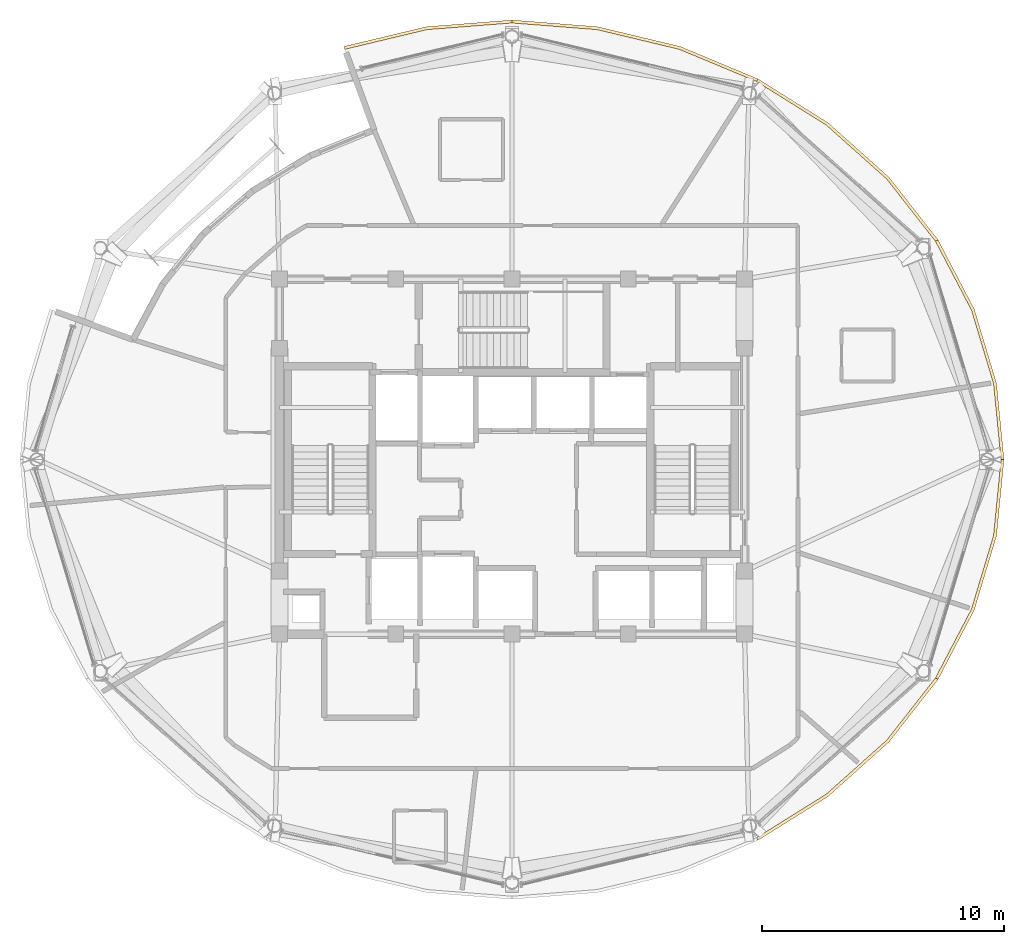
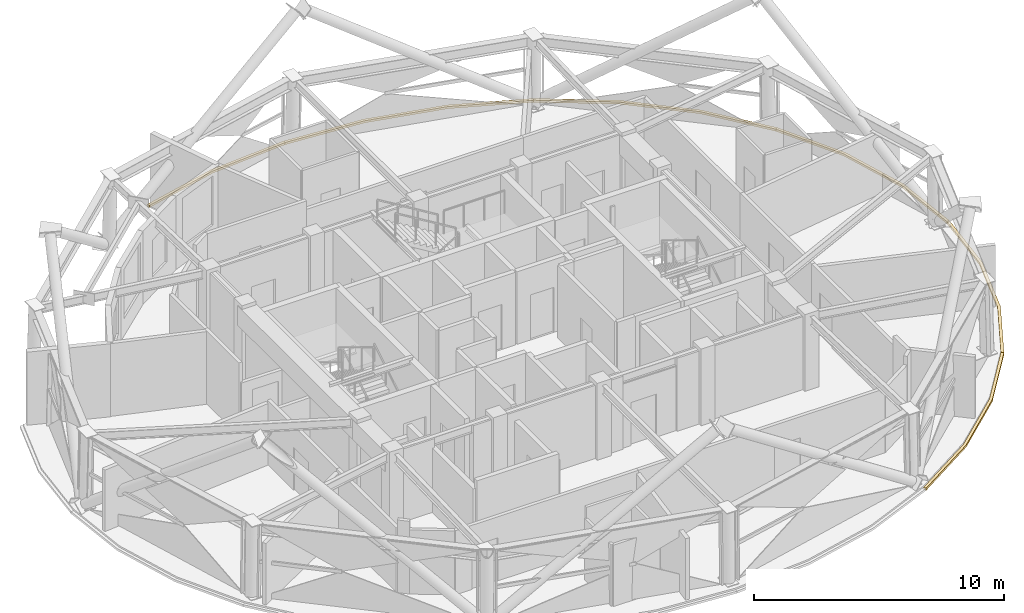
# One storey, part 15 of 15: 6 coverings.
"""IFC4 building model written with IfcOpenShell, lengths in metres."""

import ifcopenshell
import ifcopenshell.guid

model = None  # the IFC model being written
_history = None  # IfcOwnerHistory: only IFC2X3 demands one
_inside = {}  # id of a spatial element -> (the spatial element, [elements in it])
_under = {}  # id of a project, library or spatial element -> (it, [spatial elements below it])
_declared = {}  # id of a project -> (the project, [libraries it declares])
_typed = {}  # id of a type object -> (the type object, [elements of that type])
_made_of = {}  # id of a material, layer set ... -> (it, [elements and type objects made of it])


def new_model(schema):
    """Start an empty IFC model of exactly this schema.

    Asked for "IFC4X3", IfcOpenShell would pick the latest addendum, in which some entities
    have other attributes; the version numbers below select the first issue.
    IFC2X3 requires an IfcOwnerHistory on every rooted entity: one is made here for all.
    """
    global model, _history
    if schema == "IFC4X3":
        model = ifcopenshell.file(schema_version=(4, 3, 0, 0))
    else:
        model = ifcopenshell.file(schema=schema)
    _inside.clear()
    _under.clear()
    _declared.clear()
    _typed.clear()
    _made_of.clear()
    _history = None
    if model.schema == "IFC2X3":
        org = make("IfcOrganization", Name="unknown")
        user = make(
            "IfcPersonAndOrganization",
            ThePerson=make("IfcPerson", FamilyName="unknown"),
            TheOrganization=org,
        )
        app = make(
            "IfcApplication",
            ApplicationDeveloper=org,
            Version="unknown",
            ApplicationFullName="unknown",
            ApplicationIdentifier="unknown",
        )
        _history = make(
            "IfcOwnerHistory",
            OwningUser=user,
            OwningApplication=app,
            ChangeAction="ADDED",
            CreationDate=0,
        )
    return model


def make(cls, **values):
    """One entity of the class cls with the attributes given. An attribute that is None is left unset."""
    return model.create_entity(
        cls, **{name: value for name, value in values.items() if value is not None}
    )


def rooted(cls, **values):
    """An entity with a GlobalId (a new one), such as an element, a storey or a relation."""
    return make(cls, GlobalId=ifcopenshell.guid.new(), OwnerHistory=_history, **values)


def si_unit(unit_type, name, prefix=None):
    """IfcSIUnit, for example si_unit("LENGTHUNIT", "METRE", prefix="MILLI")."""
    return make("IfcSIUnit", UnitType=unit_type, Prefix=prefix, Name=name)


def assignment(units):
    """IfcUnitAssignment: the units of a project."""
    return None if units is None else make("IfcUnitAssignment", Units=units)


def point(xyz):
    """IfcCartesianPoint."""
    return None if xyz is None else make("IfcCartesianPoint", Coordinates=xyz)


def direction(xyz):
    """IfcDirection."""
    return None if xyz is None else make("IfcDirection", DirectionRatios=xyz)


def frame(location, z_axis=None, x_axis=None):
    """IfcAxis2Placement3D, a coordinate frame: its origin and axes. An axis left out is left unset."""
    return make(
        "IfcAxis2Placement3D",
        Location=point(location),
        Axis=direction(z_axis),
        RefDirection=direction(x_axis),
    )


def origin():
    """The frame at (0, 0, 0) with its axes left unset."""
    return frame((0.0, 0.0, 0.0))


def place(relative_to, where):
    """IfcLocalPlacement: puts the frame where relative to a parent placement (None: the world)."""
    return make(
        "IfcLocalPlacement", PlacementRelTo=relative_to, RelativePlacement=where
    )


def context(
    kind, dimensions, precision=None, world=None, true_north=None, identifier=None
):
    """IfcGeometricRepresentationContext, for example the 3D "Model" context."""
    return make(
        "IfcGeometricRepresentationContext",
        ContextIdentifier=identifier,
        ContextType=kind,
        CoordinateSpaceDimension=dimensions,
        Precision=precision,
        WorldCoordinateSystem=world,
        TrueNorth=true_north,
    )


def subcontext(parent, identifier, kind, view, scale=None):
    """IfcGeometricRepresentationSubContext, for example "Body" below "Model"."""
    return make(
        "IfcGeometricRepresentationSubContext",
        ContextIdentifier=identifier,
        ContextType=kind,
        ParentContext=parent,
        TargetScale=scale,
        TargetView=view,
    )


def project(units=None, contexts=None):
    """IfcProject with its units and contexts."""
    return rooted(
        "IfcProject",
        Name="project",
        RepresentationContexts=contexts,
        UnitsInContext=assignment(units),
    )


def spatial(cls, under=None, at=None, **own):
    """A site, building, storey or space (cls), placed at a placement, below another one or the project."""
    s = rooted(cls, ObjectPlacement=at, **own)
    if under is not None:
        _under.setdefault(under.id(), (under, []))[1].append(s)
    return s


def polyline(points):
    """IfcPolyline through the points."""
    return make("IfcPolyline", Points=[point(p) for p in points])


def outline(outer, holes=None, kind="AREA"):
    """IfcArbitraryClosedProfileDef: a profile drawn as a closed curve; with holes, ...WithVoids."""
    if holes is None:
        return make("IfcArbitraryClosedProfileDef", ProfileType=kind, OuterCurve=outer)
    return make(
        "IfcArbitraryProfileDefWithVoids",
        ProfileType=kind,
        OuterCurve=outer,
        InnerCurves=holes,
    )


def extrude(swept, where, along, depth):
    """IfcExtrudedAreaSolid: the profile swept, set in the frame where, extruded along a direction by depth."""
    return make(
        "IfcExtrudedAreaSolid",
        SweptArea=swept,
        Position=where,
        ExtrudedDirection=direction(along),
        Depth=depth,
    )


def shape(context_of_items, identifier, shape_type, items):
    """IfcShapeRepresentation: the items that make up one representation, for example the "Body"."""
    return make(
        "IfcShapeRepresentation",
        ContextOfItems=context_of_items,
        RepresentationIdentifier=identifier,
        RepresentationType=shape_type,
        Items=items,
    )


def material(Name=None, Category=None):
    """IfcMaterial."""
    return make("IfcMaterial", Name=Name, Category=Category)


def layer(
    of_material, thickness, ventilated=None, Name=None, Category=None, Priority=None
):
    """IfcMaterialLayer: one layer of a wall or slab, of a material (None: an air gap)."""
    return make(
        "IfcMaterialLayer",
        Material=of_material,
        LayerThickness=thickness,
        IsVentilated=ventilated,
        Name=Name,
        Category=Category,
        Priority=Priority,
    )


def layer_set(layers, Name=None):
    """IfcMaterialLayerSet."""
    return make("IfcMaterialLayerSet", MaterialLayers=layers, LayerSetName=Name)


def made_of(thing, what):
    """Note that an element or type object is made of a material, layer set ...; save() writes the relation."""
    if what is not None:
        _made_of.setdefault(what.id(), (what, []))[1].append(thing)
    return thing


def type_object(cls, material=None, **own):
    """A type object (cls), such as IfcWallType, which elements share."""
    return made_of(rooted(cls, **own), material)


def element(
    cls,
    number,
    at=None,
    inside=None,
    cuts=None,
    type_object=None,
    material=None,
    context=None,
    identifier="Body",
    shape_type=None,
    held_by="IfcProductDefinitionShape",
    body=None,
    shapes=None,
    **own,
):
    """One element of the class cls, such as IfcWall. Its Tag is "e" and its number.

    at: its placement. inside: the storey or other place that contains it. cuts: it is an
    opening in that element (IfcRelVoidsElement). A single representation is given by context,
    identifier, shape_type and body (its items); several are given by shapes. held_by: the class
    of the entity that holds the representations. save() writes the other relations.
    """
    e = rooted(cls, Tag="e%d" % number, ObjectPlacement=at, **own)
    if body is not None:
        shapes = [shape(context, identifier, shape_type, body)]
    if shapes is not None:
        e.Representation = make(held_by, Representations=shapes)
    if inside is not None:
        _inside.setdefault(inside.id(), (inside, []))[1].append(e)
    if cuts is not None:
        rooted(
            "IfcRelVoidsElement", RelatingBuildingElement=cuts, RelatedOpeningElement=e
        )
    if type_object is not None:
        _typed.setdefault(type_object.id(), (type_object, []))[1].append(e)
    return made_of(e, material)


def aggregate(whole, parts):
    """IfcRelAggregates: a whole, such as a stair, and the parts it consists of."""
    return rooted("IfcRelAggregates", RelatingObject=whole, RelatedObjects=parts)


def save(model, path):
    """Write the relations noted so far, then the file.

    IfcRelAggregates (storeys below a building ...), IfcRelContainedInSpatialStructure (elements
    in a storey), IfcRelDefinesByType, IfcRelAssociatesMaterial and IfcRelDeclares: one each for
    every whole, place, type object, material and project.
    """
    for whole, parts in _under.values():
        aggregate(whole, parts)
    for where, things in _inside.values():
        rooted(
            "IfcRelContainedInSpatialStructure",
            RelatedElements=things,
            RelatingStructure=where,
        )
    for kind, things in _typed.values():
        rooted("IfcRelDefinesByType", RelatedObjects=things, RelatingType=kind)
    for what, things in _made_of.values():
        rooted("IfcRelAssociatesMaterial", RelatedObjects=things, RelatingMaterial=what)
    for by, libraries in _declared.values():
        rooted("IfcRelDeclares", RelatingContext=by, RelatedDefinitions=libraries)
    model.write(path)


model = new_model("IFC4")

# Units and contexts
model_context = context("Model", 3, precision=1e-05, world=origin(), true_north=direction((0.0, 1.0)))
body_context = subcontext(model_context, "Body", "Model", "MODEL_VIEW")
ifc_project = project(units=[si_unit("LENGTHUNIT", "METRE"), si_unit("AREAUNIT", "SQUARE_METRE"), si_unit("VOLUMEUNIT", "CUBIC_METRE"), si_unit("PLANEANGLEUNIT", "RADIAN"), si_unit("MASSUNIT", "GRAM", prefix="KILO")], contexts=[model_context])

# Site, building, storey
site_placement = place(None, origin())
site = spatial("IfcSite", under=ifc_project, at=site_placement, CompositionType="ELEMENT")
building_placement = place(site_placement, origin())
building = spatial("IfcBuilding", under=site, at=building_placement, Name="Vantalir Tower", CompositionType="ELEMENT")
storey_placement = place(building_placement, frame((0.0, 0.0, 275.10009765625)))
storey = spatial("IfcBuildingStorey", under=building, at=storey_placement, Name="L69", CompositionType="ELEMENT", Elevation=275.10009765625)

# Coverings
ifc_material = material(Name="Anodised champagne aluminium sill fascia", Category="aluminium")
ifc_layer = layer(ifc_material, 0.125)
ifc_layer_set = layer_set([ifc_layer], Name="Anodised champagne aluminium sill fascia")
covering_type = type_object("IfcCoveringType", Name="COV-SLAB-FASCIA-125", PredefinedType="CLADDING", material=ifc_layer_set)
covering_1_placement = place(storey_placement, frame((0.0, 0.0, -0.18017578125)))
element("IfcCovering", 1, at=covering_1_placement, inside=storey, type_object=covering_type, Name="L69 Perimeter Slab-Edge Sill Fascia 01", PredefinedType="CLADDING", context=body_context, shape_type="SweptSolid", body=[
    extrude(outline(polyline([(51.804931640625, 25.0), (51.4970703125, 28.14990234375), (50.580078125, 31.205078125), (49.0849609375, 34.071044921875), (48.97607421875, 34.009033203125), (50.462890625, 31.1630859375), (51.373046875, 28.12890625), (51.679931640625, 25.0), (51.804931640625, 25.0)])), origin(), (0.0, 0.0, 1.0), 0.10498046875),
])
covering_2_placement = place(storey_placement, frame((0.0, 0.0, -0.18017578125)))
element("IfcCovering", 2, at=covering_2_placement, inside=storey, type_object=covering_type, Name="L69 Perimeter Slab-Edge Sill Fascia 02", PredefinedType="CLADDING", context=body_context, shape_type="SweptSolid", body=[
    extrude(outline(polyline([(49.0849609375, 34.071044921875), (47.054931640625, 36.662109375), (44.552001953125, 38.89794921875), (41.653076171875, 40.7119140625), (41.590087890625, 40.60400390625), (44.470947265625, 38.802978515625), (46.958984375, 36.58203125), (48.97607421875, 34.009033203125), (49.0849609375, 34.071044921875)])), origin(), (0.0, 0.0, 1.0), 0.10498046875),
])
covering_3_placement = place(storey_placement, frame((0.0, 0.0, -0.18017578125)))
element("IfcCovering", 3, at=covering_3_placement, inside=storey, type_object=covering_type, Name="L69 Perimeter Slab-Edge Sill Fascia 03", PredefinedType="CLADDING", context=body_context, shape_type="SweptSolid", body=[
    extrude(outline(polyline([(41.653076171875, 40.7119140625), (38.445068359375, 42.049072265625), (35.02587890625, 42.866943359375), (31.5, 43.14306640625), (31.5, 43.01806640625), (35.00390625, 42.743896484375), (38.402099609375, 41.930908203125), (41.590087890625, 40.60400390625), (41.653076171875, 40.7119140625)])), origin(), (0.0, 0.0, 1.0), 0.10498046875),
])
covering_4_placement = place(storey_placement, frame((0.0, 0.0, -0.18017578125)))
element("IfcCovering", 4, at=covering_4_placement, inside=storey, type_object=covering_type, Name="L69 Perimeter Slab-Edge Sill Fascia 04", PredefinedType="CLADDING", context=body_context, shape_type="SweptSolid", body=[
    extrude(outline(polyline([(31.5, 43.14306640625), (27.97412109375, 42.866943359375), (24.554931640625, 42.049072265625), (24.597900390625, 41.930908203125), (27.99609375, 42.743896484375), (31.5, 43.01806640625), (31.5, 43.14306640625)])), origin(), (0.0, 0.0, 1.0), 0.10498046875),
])
covering_5_placement = place(storey_placement, frame((0.0, 0.0, -0.18017578125)))
element("IfcCovering", 5, at=covering_5_placement, inside=storey, type_object=covering_type, Name="L69 Perimeter Slab-Edge Sill Fascia 11", PredefinedType="CLADDING", context=body_context, shape_type="SweptSolid", body=[
    extrude(outline(polyline([(41.653076171875, 9.2880859375), (44.552001953125, 11.10205078125), (47.054931640625, 13.337890625), (49.0849609375, 15.927978515625), (48.97607421875, 15.990966796875), (46.958984375, 13.41796875), (44.470947265625, 11.197021484375), (41.590087890625, 9.39599609375), (41.653076171875, 9.2880859375)])), origin(), (0.0, 0.0, 1.0), 0.10498046875),
])
covering_6_placement = place(storey_placement, frame((0.0, 0.0, -0.18017578125)))
element("IfcCovering", 6, at=covering_6_placement, inside=storey, type_object=covering_type, Name="L69 Perimeter Slab-Edge Sill Fascia 12", PredefinedType="CLADDING", context=body_context, shape_type="SweptSolid", body=[
    extrude(outline(polyline([(49.0849609375, 15.927978515625), (50.580078125, 18.794921875), (51.4970703125, 21.85009765625), (51.804931640625, 25.0), (51.679931640625, 25.0), (51.373046875, 21.87109375), (50.462890625, 18.8369140625), (48.97607421875, 15.990966796875), (49.0849609375, 15.927978515625)])), origin(), (0.0, 0.0, 1.0), 0.10498046875),
])

save(model, "model.ifc")
